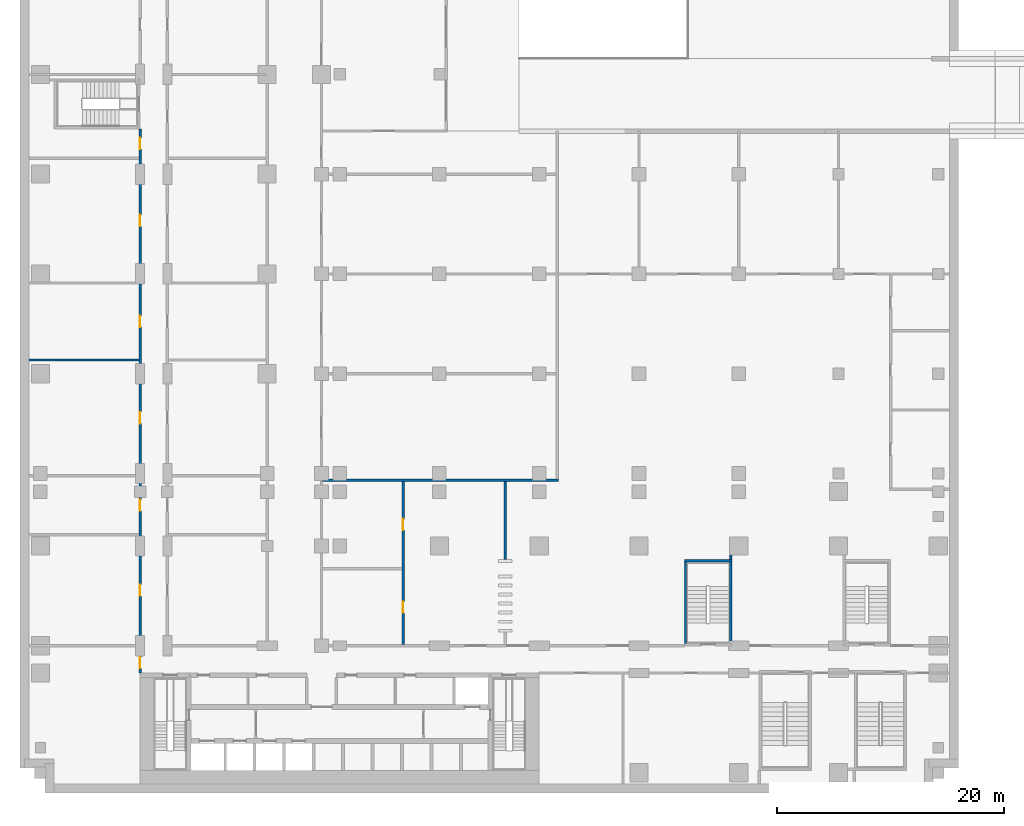
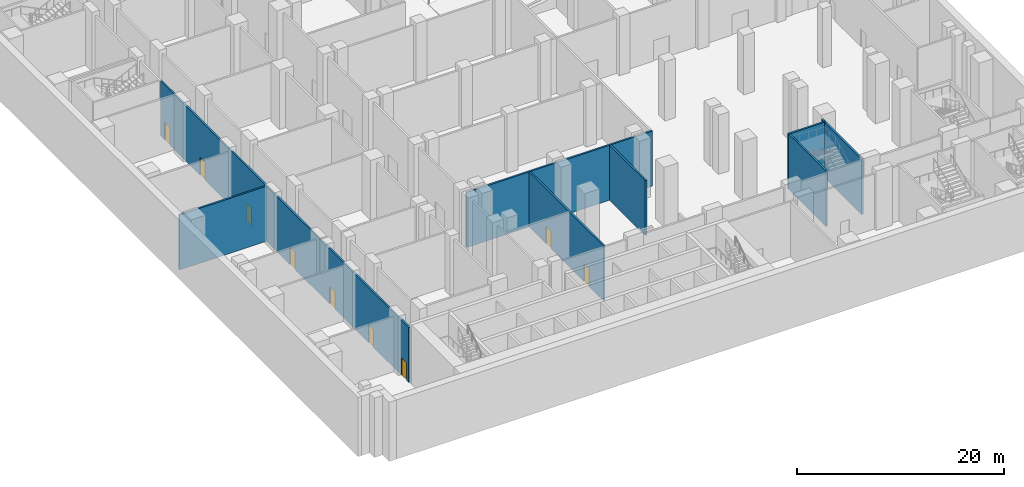
# One storey, part 5 of 15: 9 doors, 8 walls, 9 openings.
"""IFC4 building model written with IfcOpenShell, lengths in metres."""

from ifc_helpers import new_model, si_unit, direction, frame, frame_2d, origin, place, context, subcontext, project, spatial, rectangle, extrude, material, layer, layer_set, type_object, element, fill, save


model = new_model("IFC4")

# Units and contexts
model_context = context("Model", 3, precision=1e-05, world=origin(), true_north=direction((0.0, 1.0)))
body_context = subcontext(model_context, "Body", "Model", "MODEL_VIEW")
ifc_project = project(units=[si_unit("LENGTHUNIT", "METRE"), si_unit("AREAUNIT", "SQUARE_METRE"), si_unit("VOLUMEUNIT", "CUBIC_METRE"), si_unit("PLANEANGLEUNIT", "RADIAN"), si_unit("MASSUNIT", "GRAM", prefix="KILO")], contexts=[model_context])

# Site, building, storey
site_placement = place(None, origin())
site = spatial("IfcSite", under=ifc_project, at=site_placement, CompositionType="ELEMENT")
building_placement = place(site_placement, origin())
building = spatial("IfcBuilding", under=site, at=building_placement, Name="Kemantara Hotel Tower", CompositionType="ELEMENT")
storey_placement = place(building_placement, frame((0.0, 0.0, -7.0)))
storey = spatial("IfcBuildingStorey", under=building, at=storey_placement, Name="B1", CompositionType="ELEMENT", Elevation=-7.0)

# Walls
ifc_material_1 = material(Name="Concrete fc 40 MPa", Category="concrete")
ifc_layer_1 = layer(ifc_material_1, 0.199951171875)
ifc_layer_set_1 = layer_set([ifc_layer_1], Name="Concrete fc 40 MPa")
wall_type_1 = type_object("IfcWallType", Name="Concrete stair wall 200 mm", PredefinedType="SHEAR", material=ifc_layer_set_1)
wall_1_placement = place(storey_placement, frame((57.800048828125, 19.699951171875, 0.0), z_axis=(0.0, 0.0, 1.0), x_axis=(1.0, 0.0, 0.0)))
element("IfcWall", 1, at=wall_1_placement, inside=storey, type_object=wall_type_1, Name="Stair ST3 enclosure wall N", PredefinedType="SHEAR", context=body_context, shape_type="SweptSolid", body=[
    extrude(rectangle(XDim=4.199951171875, YDim=0.199951171875, at=frame_2d((2.10009765625, 0.0))), origin(), (0.0, 0.0, 1.0), 6.550048828125),
])
wall_2_placement = place(storey_placement, frame((57.89990234375, 12.39990234375, 0.0), z_axis=(0.0, 0.0, 1.0), x_axis=(0.0, 1.0, 0.0)))
element("IfcWall", 2, at=wall_2_placement, inside=storey, type_object=wall_type_1, Name="Stair ST3 enclosure wall W", PredefinedType="SHEAR", context=body_context, shape_type="SweptSolid", body=[
    extrude(rectangle(XDim=7.2001953125, YDim=0.199951171875, at=frame_2d((3.60009765625, 0.0))), origin(), (0.0, 0.0, 1.0), 6.550048828125),
])
wall_3_placement = place(storey_placement, frame((61.89990234375, 12.39990234375, 0.0), z_axis=(0.0, 0.0, 1.0), x_axis=(0.0, 1.0, 0.0)))
element("IfcWall", 3, at=wall_3_placement, inside=storey, type_object=wall_type_1, Name="Stair ST3 enclosure wall E", PredefinedType="SHEAR", context=body_context, shape_type="SweptSolid", body=[
    extrude(rectangle(XDim=7.800048828125, YDim=0.199951171875, at=frame_2d((3.89990234375, 0.0))), origin(), (0.0, 0.0, 1.0), 6.550048828125),
])

# Wall, openings, doors
ifc_material_2 = material(Name="Fire-rated gypsum board partition")
ifc_layer_2 = layer(ifc_material_2, 0.199951171875)
ifc_layer_set_2 = layer_set([ifc_layer_2], Name="Fire-rated gypsum board partition")
wall_type_2 = type_object("IfcWallType", Name="FIRE-RATED GYPSUM PARTITION 200 EI 60", PredefinedType="PARTITIONING", material=ifc_layer_set_2)
wall_4_placement = place(storey_placement, frame((9.800048828125, 9.800048828125, 0.0), z_axis=(0.0, 0.0, 1.0), x_axis=(0.0, 1.0, 0.0)))
wall_4 = element("IfcWall", 4, at=wall_4_placement, inside=storey, type_object=wall_type_2, Name="FIRE-RATED PARTITION", PredefinedType="PARTITIONING", context=body_context, shape_type="SweptSolid", body=[
    extrude(rectangle(XDim=48.0, YDim=0.199951171875, at=frame_2d((24.0, 0.0))), origin(), (0.0, 0.0, 1.0), 6.5),
])
opening_1_placement = place(wall_4_placement, frame((0.39990234375, 0.0, 0.0)))
opening_1 = element("IfcOpeningElement", 5, at=opening_1_placement, cuts=wall_4, Name="Opening B1-B001", PredefinedType="OPENING", context=body_context, shape_type="SweptSolid", body=[
    extrude(rectangle(XDim=1.0, YDim=2.10009765625, at=frame_2d((0.5, 1.050048828125))), frame((0.0, 0.10986328125, 0.0), z_axis=(0.0, -1.0, 0.0), x_axis=(1.0, 0.0, 0.0)), (0.0, 0.0, 1.0), 0.219970703125),
])
opening_2_placement = place(wall_4_placement, frame((6.800048828125, 0.0, 0.0)))
opening_2 = element("IfcOpeningElement", 6, at=opening_2_placement, cuts=wall_4, Name="Opening B1-B002", PredefinedType="OPENING", context=body_context, shape_type="SweptSolid", body=[
    extrude(rectangle(XDim=1.0, YDim=2.10009765625, at=frame_2d((0.5, 1.050048828125))), frame((0.0, 0.10986328125, 0.0), z_axis=(0.0, -1.0, 0.0), x_axis=(1.0, 0.0, 0.0)), (0.0, 0.0, 1.0), 0.219970703125),
])
opening_3_placement = place(wall_4_placement, frame((14.300048828125, 0.0, 0.0)))
opening_3 = element("IfcOpeningElement", 7, at=opening_3_placement, cuts=wall_4, Name="Opening B1-B003", PredefinedType="OPENING", context=body_context, shape_type="SweptSolid", body=[
    extrude(rectangle(XDim=1.0, YDim=2.10009765625, at=frame_2d((0.5, 1.050048828125))), frame((0.0, 0.10986328125, 0.0), z_axis=(0.0, -1.0, 0.0), x_axis=(1.0, 0.0, 0.0)), (0.0, 0.0, 1.0), 0.219970703125),
])
opening_4_placement = place(wall_4_placement, frame((22.0, 0.0, 0.0)))
opening_4 = element("IfcOpeningElement", 8, at=opening_4_placement, cuts=wall_4, Name="Opening B1-B004", PredefinedType="OPENING", context=body_context, shape_type="SweptSolid", body=[
    extrude(rectangle(XDim=1.0, YDim=2.10009765625, at=frame_2d((0.5, 1.050048828125))), frame((0.0, 0.10986328125, 0.0), z_axis=(0.0, -1.0, 0.0), x_axis=(1.0, 0.0, 0.0)), (0.0, 0.0, 1.0), 0.219970703125),
])
opening_5_placement = place(wall_4_placement, frame((30.5, 0.0, 0.0)))
opening_5 = element("IfcOpeningElement", 9, at=opening_5_placement, cuts=wall_4, Name="Opening B1-B005", PredefinedType="OPENING", context=body_context, shape_type="SweptSolid", body=[
    extrude(rectangle(XDim=1.0, YDim=2.10009765625, at=frame_2d((0.5, 1.050048828125))), frame((0.0, 0.10986328125, 0.0), z_axis=(0.0, -1.0, 0.0), x_axis=(1.0, 0.0, 0.0)), (0.0, 0.0, 1.0), 0.219970703125),
])
opening_6_placement = place(wall_4_placement, frame((39.39990234375, 0.0, 0.0)))
opening_6 = element("IfcOpeningElement", 10, at=opening_6_placement, cuts=wall_4, Name="Opening B1-B006", PredefinedType="OPENING", context=body_context, shape_type="SweptSolid", body=[
    extrude(rectangle(XDim=1.0, YDim=2.10009765625, at=frame_2d((0.5, 1.050048828125))), frame((0.0, 0.10986328125, 0.0), z_axis=(0.0, -1.0, 0.0), x_axis=(1.0, 0.0, 0.0)), (0.0, 0.0, 1.0), 0.219970703125),
])
opening_7_placement = place(wall_4_placement, frame((46.199951171875, 0.0, 0.0)))
opening_7 = element("IfcOpeningElement", 11, at=opening_7_placement, cuts=wall_4, Name="Opening B1-B007", PredefinedType="OPENING", context=body_context, shape_type="SweptSolid", body=[
    extrude(rectangle(XDim=1.0, YDim=2.10009765625, at=frame_2d((0.5, 1.050048828125))), frame((0.0, 0.10986328125, 0.0), z_axis=(0.0, -1.0, 0.0), x_axis=(1.0, 0.0, 0.0)), (0.0, 0.0, 1.0), 0.219970703125),
])
ifc_material_3 = material(Name="Timber veneer door leaf", Category="wood")
door_type = type_object("IfcDoorType", Name="SINGLE LEAF TIMBER DOOR 1000 X 2100", OperationType="SINGLE_SWING_LEFT", PredefinedType="DOOR", material=ifc_material_3)
door_1_placement = place(opening_1_placement, frame((1.0, 0.0, 0.0), z_axis=(0.0, 0.0, 1.0), x_axis=(-1.0, 0.0, 0.0)))
door_1 = element("IfcDoor", 12, at=door_1_placement, inside=storey, type_object=door_type, Name="SINGLE LEAF TIMBER DOOR", OperationType="SINGLE_SWING_RIGHT", OverallHeight=2.10009765625, OverallWidth=1.0, PredefinedType="DOOR", context=body_context, shape_type="SweptSolid", body=[
    extrude(rectangle(XDim=1.0, YDim=2.10009765625, at=frame_2d((0.5, 1.050048828125))), frame((0.0, 0.02490234375, 0.0), z_axis=(0.0, -1.0, 0.0), x_axis=(1.0, 0.0, 0.0)), (0.0, 0.0, 1.0), 0.050048828125),
])
fill(opening_1, door_1)
door_2_placement = place(opening_2_placement, frame((1.0, 0.0, 0.0), z_axis=(0.0, 0.0, 1.0), x_axis=(-1.0, 0.0, 0.0)))
door_2 = element("IfcDoor", 13, at=door_2_placement, inside=storey, type_object=door_type, Name="SINGLE LEAF TIMBER DOOR", OperationType="SINGLE_SWING_RIGHT", OverallHeight=2.10009765625, OverallWidth=1.0, PredefinedType="DOOR", context=body_context, shape_type="SweptSolid", body=[
    extrude(rectangle(XDim=1.0, YDim=2.10009765625, at=frame_2d((0.5, 1.050048828125))), frame((0.0, 0.02490234375, 0.0), z_axis=(0.0, -1.0, 0.0), x_axis=(1.0, 0.0, 0.0)), (0.0, 0.0, 1.0), 0.050048828125),
])
fill(opening_2, door_2)
door_3_placement = place(opening_3_placement, frame((1.0, 0.0, 0.0), z_axis=(0.0, 0.0, 1.0), x_axis=(-1.0, 0.0, 0.0)))
door_3 = element("IfcDoor", 14, at=door_3_placement, inside=storey, type_object=door_type, Name="SINGLE LEAF TIMBER DOOR", OperationType="SINGLE_SWING_RIGHT", OverallHeight=2.10009765625, OverallWidth=1.0, PredefinedType="DOOR", context=body_context, shape_type="SweptSolid", body=[
    extrude(rectangle(XDim=1.0, YDim=2.10009765625, at=frame_2d((0.5, 1.050048828125))), frame((0.0, 0.02490234375, 0.0), z_axis=(0.0, -1.0, 0.0), x_axis=(1.0, 0.0, 0.0)), (0.0, 0.0, 1.0), 0.050048828125),
])
fill(opening_3, door_3)
door_4_placement = place(opening_4_placement, frame((1.0, 0.0, 0.0), z_axis=(0.0, 0.0, 1.0), x_axis=(-1.0, 0.0, 0.0)))
door_4 = element("IfcDoor", 15, at=door_4_placement, inside=storey, type_object=door_type, Name="SINGLE LEAF TIMBER DOOR", OperationType="SINGLE_SWING_RIGHT", OverallHeight=2.10009765625, OverallWidth=1.0, PredefinedType="DOOR", context=body_context, shape_type="SweptSolid", body=[
    extrude(rectangle(XDim=1.0, YDim=2.10009765625, at=frame_2d((0.5, 1.050048828125))), frame((0.0, 0.02490234375, 0.0), z_axis=(0.0, -1.0, 0.0), x_axis=(1.0, 0.0, 0.0)), (0.0, 0.0, 1.0), 0.050048828125),
])
fill(opening_4, door_4)
door_5_placement = place(opening_5_placement, frame((1.0, 0.0, 0.0), z_axis=(0.0, 0.0, 1.0), x_axis=(-1.0, 0.0, 0.0)))
door_5 = element("IfcDoor", 16, at=door_5_placement, inside=storey, type_object=door_type, Name="SINGLE LEAF TIMBER DOOR", OperationType="SINGLE_SWING_LEFT", OverallHeight=2.10009765625, OverallWidth=1.0, PredefinedType="DOOR", context=body_context, shape_type="SweptSolid", body=[
    extrude(rectangle(XDim=1.0, YDim=2.10009765625, at=frame_2d((0.5, 1.050048828125))), frame((0.0, 0.02490234375, 0.0), z_axis=(0.0, -1.0, 0.0), x_axis=(1.0, 0.0, 0.0)), (0.0, 0.0, 1.0), 0.050048828125),
])
fill(opening_5, door_5)
door_6_placement = place(opening_6_placement, frame((1.0, 0.0, 0.0), z_axis=(0.0, 0.0, 1.0), x_axis=(-1.0, 0.0, 0.0)))
door_6 = element("IfcDoor", 17, at=door_6_placement, inside=storey, type_object=door_type, Name="SINGLE LEAF TIMBER DOOR", OperationType="SINGLE_SWING_LEFT", OverallHeight=2.10009765625, OverallWidth=1.0, PredefinedType="DOOR", context=body_context, shape_type="SweptSolid", body=[
    extrude(rectangle(XDim=1.0, YDim=2.10009765625, at=frame_2d((0.5, 1.050048828125))), frame((0.0, 0.02490234375, 0.0), z_axis=(0.0, -1.0, 0.0), x_axis=(1.0, 0.0, 0.0)), (0.0, 0.0, 1.0), 0.050048828125),
])
fill(opening_6, door_6)
door_7_placement = place(opening_7_placement, frame((1.0, 0.0, 0.0), z_axis=(0.0, 0.0, 1.0), x_axis=(-1.0, 0.0, 0.0)))
door_7 = element("IfcDoor", 18, at=door_7_placement, inside=storey, type_object=door_type, Name="SINGLE LEAF TIMBER DOOR", OperationType="SINGLE_SWING_LEFT", OverallHeight=2.10009765625, OverallWidth=1.0, PredefinedType="DOOR", context=body_context, shape_type="SweptSolid", body=[
    extrude(rectangle(XDim=1.0, YDim=2.10009765625, at=frame_2d((0.5, 1.050048828125))), frame((0.0, 0.02490234375, 0.0), z_axis=(0.0, -1.0, 0.0), x_axis=(1.0, 0.0, 0.0)), (0.0, 0.0, 1.0), 0.050048828125),
])
fill(opening_7, door_7)

# Walls
ifc_material_4 = material(Name="Gypsum board partition")
ifc_layer_3 = layer(ifc_material_4, 0.199951171875)
ifc_layer_set_3 = layer_set([ifc_layer_3], Name="Gypsum board partition")
wall_type_3 = type_object("IfcWallType", Name="GYPSUM BOARD PARTITION 200", PredefinedType="PARTITIONING", material=ifc_layer_set_3)
wall_5_placement = place(storey_placement, frame((0.0, 37.39990234375, 0.0), z_axis=(0.0, 0.0, 1.0), x_axis=(1.0, 0.0, 0.0)))
element("IfcWall", 19, at=wall_5_placement, inside=storey, type_object=wall_type_3, Name="PARTITION", PredefinedType="PARTITIONING", context=body_context, shape_type="SweptSolid", body=[
    extrude(rectangle(XDim=9.699951171875, YDim=0.199951171875, at=frame_2d((4.85009765625, 0.0))), origin(), (0.0, 0.0, 1.0), 6.5),
])
wall_6_placement = place(storey_placement, frame((25.89990234375, 26.800048828125, 0.0), z_axis=(0.0, 0.0, 1.0), x_axis=(1.0, 0.0, 0.0)))
element("IfcWall", 20, at=wall_6_placement, inside=storey, type_object=wall_type_3, Name="PARTITION", PredefinedType="PARTITIONING", context=body_context, shape_type="SweptSolid", body=[
    extrude(rectangle(XDim=20.800048828125, YDim=0.199951171875, at=frame_2d((10.39990234375, 0.0))), origin(), (0.0, 0.0, 1.0), 6.5),
])
wall_7_placement = place(storey_placement, frame((42.0, 19.800048828125, 0.0), z_axis=(0.0, 0.0, 1.0), x_axis=(0.0, 1.0, 0.0)))
element("IfcWall", 21, at=wall_7_placement, inside=storey, type_object=wall_type_3, Name="PARTITION", PredefinedType="PARTITIONING", context=body_context, shape_type="SweptSolid", body=[
    extrude(rectangle(XDim=6.89990234375, YDim=0.199951171875, at=frame_2d((3.449951171875, 0.0))), origin(), (0.0, 0.0, 1.0), 6.5),
])

# Wall, openings, doors
wall_8_placement = place(storey_placement, frame((33.0, 12.300048828125, 0.0), z_axis=(0.0, 0.0, 1.0), x_axis=(0.0, 1.0, 0.0)))
wall_8 = element("IfcWall", 22, at=wall_8_placement, inside=storey, type_object=wall_type_3, Name="PARTITION", PredefinedType="PARTITIONING", context=body_context, shape_type="SweptSolid", body=[
    extrude(rectangle(XDim=14.39990234375, YDim=0.199951171875, at=frame_2d((7.199951171875, 0.0))), origin(), (0.0, 0.0, 1.0), 6.5),
])
opening_8_placement = place(wall_8_placement, frame((2.800048828125, 0.0, 0.0)))
opening_8 = element("IfcOpeningElement", 23, at=opening_8_placement, cuts=wall_8, Name="Opening B1-B036", PredefinedType="OPENING", context=body_context, shape_type="SweptSolid", body=[
    extrude(rectangle(XDim=1.0, YDim=2.10009765625, at=frame_2d((0.5, 1.050048828125))), frame((0.0, 0.10986328125, 0.0), z_axis=(0.0, -1.0, 0.0), x_axis=(1.0, 0.0, 0.0)), (0.0, 0.0, 1.0), 0.219970703125),
])
opening_9_placement = place(wall_8_placement, frame((10.10009765625, 0.0, 0.0)))
opening_9 = element("IfcOpeningElement", 24, at=opening_9_placement, cuts=wall_8, Name="Opening B1-B037", PredefinedType="OPENING", context=body_context, shape_type="SweptSolid", body=[
    extrude(rectangle(XDim=1.0, YDim=2.10009765625, at=frame_2d((0.5, 1.050048828125))), frame((0.0, 0.10986328125, 0.0), z_axis=(0.0, -1.0, 0.0), x_axis=(1.0, 0.0, 0.0)), (0.0, 0.0, 1.0), 0.219970703125),
])
door_8_placement = place(opening_8_placement, origin())
door_8 = element("IfcDoor", 25, at=door_8_placement, inside=storey, type_object=door_type, Name="SINGLE LEAF TIMBER DOOR", OperationType="SINGLE_SWING_LEFT", OverallHeight=2.10009765625, OverallWidth=1.0, PredefinedType="DOOR", context=body_context, shape_type="SweptSolid", body=[
    extrude(rectangle(XDim=1.0, YDim=2.10009765625, at=frame_2d((0.5, 1.050048828125))), frame((0.0, 0.02490234375, 0.0), z_axis=(0.0, -1.0, 0.0), x_axis=(1.0, 0.0, 0.0)), (0.0, 0.0, 1.0), 0.050048828125),
])
fill(opening_8, door_8)
door_9_placement = place(opening_9_placement, origin())
door_9 = element("IfcDoor", 26, at=door_9_placement, inside=storey, type_object=door_type, Name="SINGLE LEAF TIMBER DOOR", OperationType="SINGLE_SWING_RIGHT", OverallHeight=2.10009765625, OverallWidth=1.0, PredefinedType="DOOR", context=body_context, shape_type="SweptSolid", body=[
    extrude(rectangle(XDim=1.0, YDim=2.10009765625, at=frame_2d((0.5, 1.050048828125))), frame((0.0, 0.02490234375, 0.0), z_axis=(0.0, -1.0, 0.0), x_axis=(1.0, 0.0, 0.0)), (0.0, 0.0, 1.0), 0.050048828125),
])
fill(opening_9, door_9)

save(model, "model.ifc")
